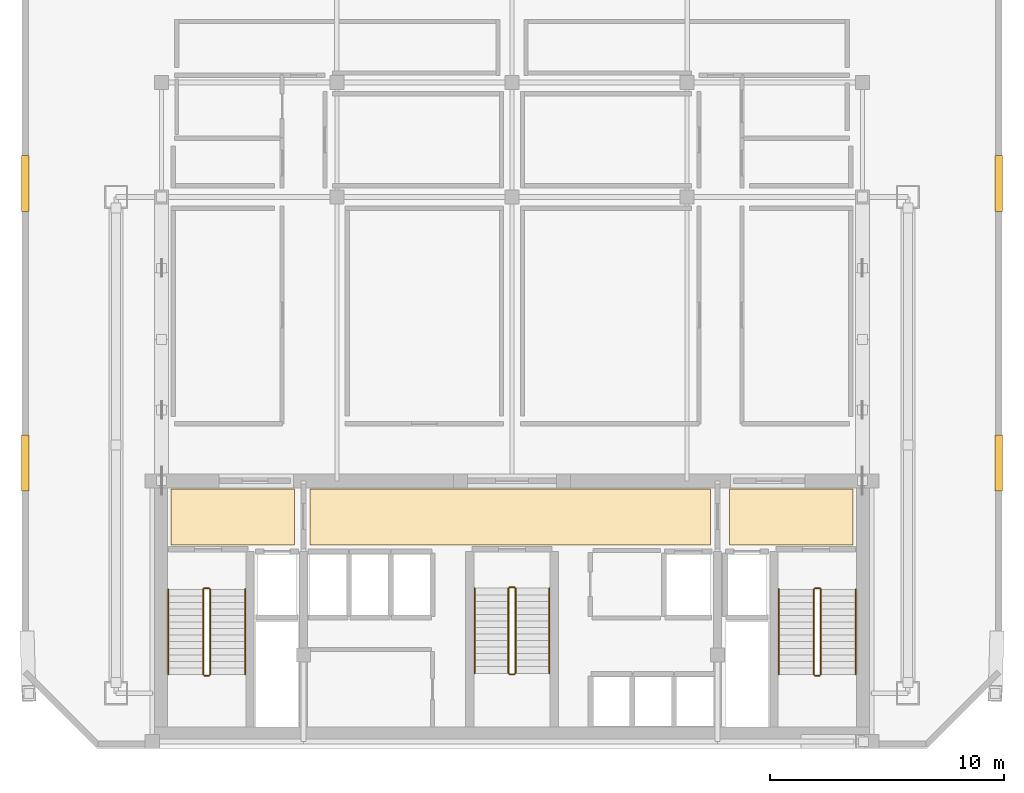
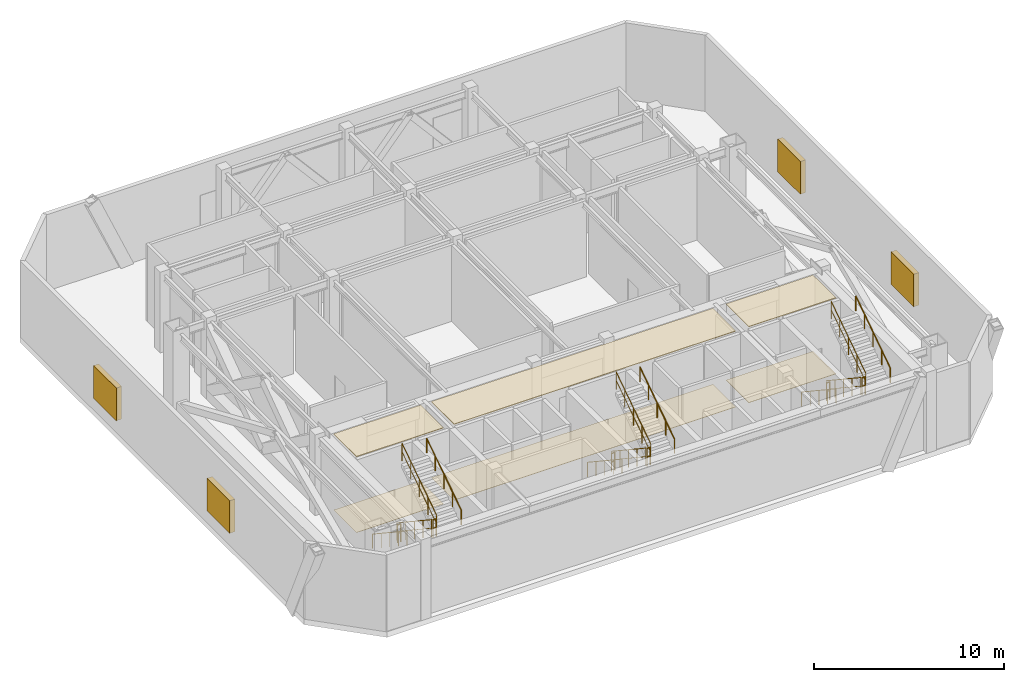
# One storey, part 6 of 7: 18 railings, 6 coverings, 4 shading devices.
"""IFC4 building model written with IfcOpenShell, lengths in metres."""

from ifc_helpers import new_model, si_unit, direction, frame, origin, origin_2d, place, context, subcontext, project, spatial, polyline, rectangle, circle, outline, extrude, material, layer, layer_set, type_object, element, save


model = new_model("IFC4")

# Units and contexts
model_context = context("Model", 3, precision=1e-05, world=origin(), true_north=direction((0.0, 1.0)))
body_context = subcontext(model_context, "Body", "Model", "MODEL_VIEW")
ifc_project = project(units=[si_unit("LENGTHUNIT", "METRE"), si_unit("AREAUNIT", "SQUARE_METRE"), si_unit("VOLUMEUNIT", "CUBIC_METRE"), si_unit("PLANEANGLEUNIT", "RADIAN"), si_unit("MASSUNIT", "GRAM", prefix="KILO")], contexts=[model_context])

# Site, building, storey
site_placement = place(None, origin())
site = spatial("IfcSite", under=ifc_project, at=site_placement, CompositionType="ELEMENT")
building_placement = place(site_placement, origin())
building = spatial("IfcBuilding", under=site, at=building_placement, Name="Ventersveld Concourse Tower", CompositionType="ELEMENT")
storey_placement = place(building_placement, frame((0.0, 0.0, 246.5)))
storey = spatial("IfcBuildingStorey", under=building, at=storey_placement, Name="L61", CompositionType="ELEMENT", Elevation=246.5)

# Coverings
ifc_material_1 = material(Name="Mineral-fibre acoustic ceiling tile", Category="gypsum")
ifc_layer_1 = layer(ifc_material_1, 0.0400390625)
ifc_layer_set_1 = layer_set([ifc_layer_1], Name="Mineral-fibre acoustic ceiling tile")
covering_type_1 = type_object("IfcCoveringType", Name="COV-CEIL-ACOUSTIC", PredefinedType="CEILING", material=ifc_layer_set_1)
covering_1_placement = place(storey_placement, frame((0.0, 0.0, 4.8798828125)))
element("IfcCovering", 1, at=covering_1_placement, inside=storey, type_object=covering_type_1, Name="L61 North Lift Lobby Acoustic Ceiling", PredefinedType="CEILING", context=body_context, shape_type="SweptSolid", body=[
    extrude(outline(polyline([(20.10009765625, 8.699951171875), (37.25, 8.699951171875), (37.25, 11.10009765625), (20.10009765625, 11.10009765625), (20.10009765625, 8.699951171875)])), origin(), (0.0, 0.0, 1.0), 0.0400390625),
])
covering_2_placement = place(storey_placement, frame((0.0, 0.0, 4.8798828125)))
element("IfcCovering", 2, at=covering_2_placement, inside=storey, type_object=covering_type_1, Name="L61 West Firefighting Lobby Acoustic Ceiling", PredefinedType="CEILING", context=body_context, shape_type="SweptSolid", body=[
    extrude(outline(polyline([(14.14990234375, 8.699951171875), (19.449951171875, 8.699951171875), (19.449951171875, 11.10009765625), (14.14990234375, 11.10009765625), (14.14990234375, 8.699951171875)])), origin(), (0.0, 0.0, 1.0), 0.0400390625),
])
covering_3_placement = place(storey_placement, frame((0.0, 0.0, 4.8798828125)))
element("IfcCovering", 3, at=covering_3_placement, inside=storey, type_object=covering_type_1, Name="L61 East Firefighting Lobby Acoustic Ceiling", PredefinedType="CEILING", context=body_context, shape_type="SweptSolid", body=[
    extrude(outline(polyline([(38.050048828125, 8.699951171875), (43.35009765625, 8.699951171875), (43.35009765625, 11.10009765625), (38.050048828125, 11.10009765625), (38.050048828125, 8.699951171875)])), origin(), (0.0, 0.0, 1.0), 0.0400390625),
])
ifc_material_2 = material(Name="Polished Highveld granite terrazzo", Category="masonry")
ifc_layer_2 = layer(ifc_material_2, 0.02001953125)
ifc_layer_set_2 = layer_set([ifc_layer_2], Name="Polished Highveld granite terrazzo")
covering_type_2 = type_object("IfcCoveringType", Name="COV-FLOOR-TERRAZZO", PredefinedType="FLOORING", material=ifc_layer_set_2)
covering_4_placement = place(storey_placement, origin())
element("IfcCovering", 4, at=covering_4_placement, inside=storey, type_object=covering_type_2, Name="L61 North Lift Lobby Terrazzo Flooring", PredefinedType="FLOORING", context=body_context, shape_type="SweptSolid", body=[
    extrude(outline(polyline([(20.10009765625, 8.699951171875), (37.25, 8.699951171875), (37.25, 11.10009765625), (20.10009765625, 11.10009765625), (20.10009765625, 8.699951171875)])), origin(), (0.0, 0.0, 1.0), 0.02001953125),
])
covering_5_placement = place(storey_placement, origin())
element("IfcCovering", 5, at=covering_5_placement, inside=storey, type_object=covering_type_2, Name="L61 West Firefighting Lobby Terrazzo Flooring", PredefinedType="FLOORING", context=body_context, shape_type="SweptSolid", body=[
    extrude(outline(polyline([(14.14990234375, 8.699951171875), (19.449951171875, 8.699951171875), (19.449951171875, 11.10009765625), (14.14990234375, 11.10009765625), (14.14990234375, 8.699951171875)])), origin(), (0.0, 0.0, 1.0), 0.02001953125),
])
covering_6_placement = place(storey_placement, origin())
element("IfcCovering", 6, at=covering_6_placement, inside=storey, type_object=covering_type_2, Name="L61 East Firefighting Lobby Terrazzo Flooring", PredefinedType="FLOORING", context=body_context, shape_type="SweptSolid", body=[
    extrude(outline(polyline([(38.050048828125, 8.699951171875), (43.35009765625, 8.699951171875), (43.35009765625, 11.10009765625), (38.050048828125, 11.10009765625), (38.050048828125, 8.699951171875)])), origin(), (0.0, 0.0, 1.0), 0.02001953125),
])

# Railings
ifc_material_3 = material(Name="Brushed stainless steel 316", Category="steel")
railing_type_1 = type_object("IfcRailingType", Name="GD-BAL-115", PredefinedType="GUARDRAIL", material=ifc_material_3)
railing_1_placement = place(storey_placement, frame((15.530029296875, 6.800048828125, 0.185791015625)))
element("IfcRailing", 7, at=railing_1_placement, inside=storey, type_object=railing_type_1, Name="L61 ST-01 stair guard 1", PredefinedType="GUARDRAIL", context=body_context, shape_type="SweptSolid", body=[
    extrude(circle(Radius=0.02392578125, at=origin_2d()), frame((0.0, 0.0, 1.1259765625), z_axis=(0.0, -0.833363587613, 0.552725185641), x_axis=(1.0, 0.0, 0.0)), (0.0, 0.0, 1.0), 4.367919921875),
    extrude(circle(Radius=0.01611328125, at=origin_2d()), frame((0.0, 0.0, 0.574951171875), z_axis=(0.0, -0.833363587613, 0.552725185641), x_axis=(1.0, 0.0, 0.0)), (0.0, 0.0, 1.0), 4.367919921875),
    extrude(circle(Radius=0.02099609375, at=origin_2d()), origin(), (0.0, 0.0, 1.0), 1.101806640625),
    extrude(circle(Radius=0.02099609375, at=origin_2d()), frame((0.0, -0.91015625, 0.603515625)), (0.0, 0.0, 1.0), 1.101806640625),
    extrude(circle(Radius=0.02099609375, at=origin_2d()), frame((0.0, -1.820068359375, 1.20703125)), (0.0, 0.0, 1.0), 1.101806640625),
    extrude(circle(Radius=0.02099609375, at=origin_2d()), frame((0.0, -2.72998046875, 1.810791015625)), (0.0, 0.0, 1.0), 1.101806640625),
    extrude(circle(Radius=0.02099609375, at=origin_2d()), frame((0.0, -3.64013671875, 2.414306640625)), (0.0, 0.0, 1.0), 1.101806640625),
])
railing_2_placement = place(storey_placement, frame((15.580078125, 3.110107421875, 2.60009765625)))
element("IfcRailing", 8, at=railing_2_placement, inside=storey, type_object=railing_type_1, Name="L61 ST-01 stair guard 2", PredefinedType="GUARDRAIL", context=body_context, shape_type="SweptSolid", body=[
    extrude(circle(Radius=0.02392578125, at=origin_2d()), frame((0.0, 0.0, 1.1259765625), z_axis=(1.0, 0.0, 0.0), x_axis=(0.0, 1.0, 0.0)), (0.0, 0.0, 1.0), 0.199951171875),
    extrude(circle(Radius=0.01611328125, at=origin_2d()), frame((0.0, 0.0, 0.574951171875), z_axis=(1.0, 0.0, 0.0), x_axis=(0.0, 1.0, 0.0)), (0.0, 0.0, 1.0), 0.199951171875),
    extrude(circle(Radius=0.02099609375, at=origin_2d()), origin(), (0.0, 0.0, 1.0), 1.101806640625),
    extrude(circle(Radius=0.02099609375, at=origin_2d()), frame((0.199951171875, 0.0, 0.0)), (0.0, 0.0, 1.0), 1.101806640625),
])
railing_3_placement = place(storey_placement, frame((15.830078125, 3.159912109375, 2.78564453125)))
element("IfcRailing", 9, at=railing_3_placement, inside=storey, type_object=railing_type_1, Name="L61 ST-01 stair guard 3", PredefinedType="GUARDRAIL", context=body_context, shape_type="SweptSolid", body=[
    extrude(circle(Radius=0.02392578125, at=origin_2d()), frame((0.0, 0.0, 1.1259765625), z_axis=(0.0, 0.833363587613, 0.552725185641), x_axis=(-1.0, 0.0, 0.0)), (0.0, 0.0, 1.0), 4.367919921875),
    extrude(circle(Radius=0.01611328125, at=origin_2d()), frame((0.0, 0.0, 0.574951171875), z_axis=(0.0, 0.833363587613, 0.552725185641), x_axis=(-1.0, 0.0, 0.0)), (0.0, 0.0, 1.0), 4.367919921875),
    extrude(circle(Radius=0.02099609375, at=origin_2d()), origin(), (0.0, 0.0, 1.0), 1.101806640625),
    extrude(circle(Radius=0.02099609375, at=origin_2d()), frame((0.0, 0.91015625, 0.603515625)), (0.0, 0.0, 1.0), 1.101806640625),
    extrude(circle(Radius=0.02099609375, at=origin_2d()), frame((0.0, 1.820068359375, 1.20703125)), (0.0, 0.0, 1.0), 1.101806640625),
    extrude(circle(Radius=0.02099609375, at=origin_2d()), frame((0.0, 2.72998046875, 1.810791015625)), (0.0, 0.0, 1.0), 1.101806640625),
    extrude(circle(Radius=0.02099609375, at=origin_2d()), frame((0.0, 3.64013671875, 2.414306640625)), (0.0, 0.0, 1.0), 1.101806640625),
])
railing_4_placement = place(storey_placement, frame((15.580078125, 6.85009765625, 0.0)))
element("IfcRailing", 10, at=railing_4_placement, inside=storey, type_object=railing_type_1, Name="L61 ST-01 stair guard 4", PredefinedType="GUARDRAIL", context=body_context, shape_type="SweptSolid", body=[
    extrude(circle(Radius=0.02392578125, at=origin_2d()), frame((0.0, 0.0, 1.1259765625), z_axis=(1.0, 0.0, 0.0), x_axis=(0.0, 1.0, 0.0)), (0.0, 0.0, 1.0), 0.199951171875),
    extrude(circle(Radius=0.01611328125, at=origin_2d()), frame((0.0, 0.0, 0.574951171875), z_axis=(1.0, 0.0, 0.0), x_axis=(0.0, 1.0, 0.0)), (0.0, 0.0, 1.0), 0.199951171875),
    extrude(circle(Radius=0.02099609375, at=origin_2d()), origin(), (0.0, 0.0, 1.0), 1.101806640625),
    extrude(circle(Radius=0.02099609375, at=origin_2d()), frame((0.199951171875, 0.0, 0.0)), (0.0, 0.0, 1.0), 1.101806640625),
])
railing_5_placement = place(storey_placement, frame((41.669921875, 6.800048828125, 0.185791015625)))
element("IfcRailing", 11, at=railing_5_placement, inside=storey, type_object=railing_type_1, Name="L61 ST-02 stair guard 1", PredefinedType="GUARDRAIL", context=body_context, shape_type="SweptSolid", body=[
    extrude(circle(Radius=0.02392578125, at=origin_2d()), frame((0.0, 0.0, 1.1259765625), z_axis=(0.0, -0.833363587613, 0.552725185641), x_axis=(1.0, 0.0, 0.0)), (0.0, 0.0, 1.0), 4.367919921875),
    extrude(circle(Radius=0.01611328125, at=origin_2d()), frame((0.0, 0.0, 0.574951171875), z_axis=(0.0, -0.833363587613, 0.552725185641), x_axis=(1.0, 0.0, 0.0)), (0.0, 0.0, 1.0), 4.367919921875),
    extrude(circle(Radius=0.02099609375, at=origin_2d()), origin(), (0.0, 0.0, 1.0), 1.101806640625),
    extrude(circle(Radius=0.02099609375, at=origin_2d()), frame((0.0, -0.91015625, 0.603515625)), (0.0, 0.0, 1.0), 1.101806640625),
    extrude(circle(Radius=0.02099609375, at=origin_2d()), frame((0.0, -1.820068359375, 1.20703125)), (0.0, 0.0, 1.0), 1.101806640625),
    extrude(circle(Radius=0.02099609375, at=origin_2d()), frame((0.0, -2.72998046875, 1.810791015625)), (0.0, 0.0, 1.0), 1.101806640625),
    extrude(circle(Radius=0.02099609375, at=origin_2d()), frame((0.0, -3.64013671875, 2.414306640625)), (0.0, 0.0, 1.0), 1.101806640625),
])
railing_6_placement = place(storey_placement, frame((41.719970703125, 3.110107421875, 2.60009765625)))
element("IfcRailing", 12, at=railing_6_placement, inside=storey, type_object=railing_type_1, Name="L61 ST-02 stair guard 2", PredefinedType="GUARDRAIL", context=body_context, shape_type="SweptSolid", body=[
    extrude(circle(Radius=0.02392578125, at=origin_2d()), frame((0.0, 0.0, 1.1259765625), z_axis=(1.0, 0.0, 0.0), x_axis=(0.0, 1.0, 0.0)), (0.0, 0.0, 1.0), 0.199951171875),
    extrude(circle(Radius=0.01611328125, at=origin_2d()), frame((0.0, 0.0, 0.574951171875), z_axis=(1.0, 0.0, 0.0), x_axis=(0.0, 1.0, 0.0)), (0.0, 0.0, 1.0), 0.199951171875),
    extrude(circle(Radius=0.02099609375, at=origin_2d()), origin(), (0.0, 0.0, 1.0), 1.101806640625),
    extrude(circle(Radius=0.02099609375, at=origin_2d()), frame((0.199951171875, 0.0, 0.0)), (0.0, 0.0, 1.0), 1.101806640625),
])
railing_7_placement = place(storey_placement, frame((41.969970703125, 3.159912109375, 2.78564453125)))
element("IfcRailing", 13, at=railing_7_placement, inside=storey, type_object=railing_type_1, Name="L61 ST-02 stair guard 3", PredefinedType="GUARDRAIL", context=body_context, shape_type="SweptSolid", body=[
    extrude(circle(Radius=0.02392578125, at=origin_2d()), frame((0.0, 0.0, 1.1259765625), z_axis=(0.0, 0.833363587613, 0.552725185641), x_axis=(-1.0, 0.0, 0.0)), (0.0, 0.0, 1.0), 4.367919921875),
    extrude(circle(Radius=0.01611328125, at=origin_2d()), frame((0.0, 0.0, 0.574951171875), z_axis=(0.0, 0.833363587613, 0.552725185641), x_axis=(-1.0, 0.0, 0.0)), (0.0, 0.0, 1.0), 4.367919921875),
    extrude(circle(Radius=0.02099609375, at=origin_2d()), origin(), (0.0, 0.0, 1.0), 1.101806640625),
    extrude(circle(Radius=0.02099609375, at=origin_2d()), frame((0.0, 0.91015625, 0.603515625)), (0.0, 0.0, 1.0), 1.101806640625),
    extrude(circle(Radius=0.02099609375, at=origin_2d()), frame((0.0, 1.820068359375, 1.20703125)), (0.0, 0.0, 1.0), 1.101806640625),
    extrude(circle(Radius=0.02099609375, at=origin_2d()), frame((0.0, 2.72998046875, 1.810791015625)), (0.0, 0.0, 1.0), 1.101806640625),
    extrude(circle(Radius=0.02099609375, at=origin_2d()), frame((0.0, 3.64013671875, 2.414306640625)), (0.0, 0.0, 1.0), 1.101806640625),
])
railing_8_placement = place(storey_placement, frame((41.719970703125, 6.85009765625, 0.0)))
element("IfcRailing", 14, at=railing_8_placement, inside=storey, type_object=railing_type_1, Name="L61 ST-02 stair guard 4", PredefinedType="GUARDRAIL", context=body_context, shape_type="SweptSolid", body=[
    extrude(circle(Radius=0.02392578125, at=origin_2d()), frame((0.0, 0.0, 1.1259765625), z_axis=(1.0, 0.0, 0.0), x_axis=(0.0, 1.0, 0.0)), (0.0, 0.0, 1.0), 0.199951171875),
    extrude(circle(Radius=0.01611328125, at=origin_2d()), frame((0.0, 0.0, 0.574951171875), z_axis=(1.0, 0.0, 0.0), x_axis=(0.0, 1.0, 0.0)), (0.0, 0.0, 1.0), 0.199951171875),
    extrude(circle(Radius=0.02099609375, at=origin_2d()), origin(), (0.0, 0.0, 1.0), 1.101806640625),
    extrude(circle(Radius=0.02099609375, at=origin_2d()), frame((0.199951171875, 0.0, 0.0)), (0.0, 0.0, 1.0), 1.101806640625),
])
railing_9_placement = place(storey_placement, frame((28.60009765625, 6.85009765625, 0.185791015625)))
element("IfcRailing", 15, at=railing_9_placement, inside=storey, type_object=railing_type_1, Name="L61 ST-03 stair guard 1", PredefinedType="GUARDRAIL", context=body_context, shape_type="SweptSolid", body=[
    extrude(circle(Radius=0.02392578125, at=origin_2d()), frame((0.0, 0.0, 1.1259765625), z_axis=(0.0, -0.833363587613, 0.552725185641), x_axis=(1.0, 0.0, 0.0)), (0.0, 0.0, 1.0), 4.367919921875),
    extrude(circle(Radius=0.01611328125, at=origin_2d()), frame((0.0, 0.0, 0.574951171875), z_axis=(0.0, -0.833363587613, 0.552725185641), x_axis=(1.0, 0.0, 0.0)), (0.0, 0.0, 1.0), 4.367919921875),
    extrude(circle(Radius=0.02099609375, at=origin_2d()), origin(), (0.0, 0.0, 1.0), 1.101806640625),
    extrude(circle(Radius=0.02099609375, at=origin_2d()), frame((0.0, -0.91015625, 0.603515625)), (0.0, 0.0, 1.0), 1.101806640625),
    extrude(circle(Radius=0.02099609375, at=origin_2d()), frame((0.0, -1.820068359375, 1.20703125)), (0.0, 0.0, 1.0), 1.101806640625),
    extrude(circle(Radius=0.02099609375, at=origin_2d()), frame((0.0, -2.72998046875, 1.810791015625)), (0.0, 0.0, 1.0), 1.101806640625),
    extrude(circle(Radius=0.02099609375, at=origin_2d()), frame((0.0, -3.64013671875, 2.414306640625)), (0.0, 0.0, 1.0), 1.101806640625),
])
railing_10_placement = place(storey_placement, frame((28.64990234375, 3.159912109375, 2.60009765625)))
element("IfcRailing", 16, at=railing_10_placement, inside=storey, type_object=railing_type_1, Name="L61 ST-03 stair guard 2", PredefinedType="GUARDRAIL", context=body_context, shape_type="SweptSolid", body=[
    extrude(circle(Radius=0.02392578125, at=origin_2d()), frame((0.0, 0.0, 1.1259765625), z_axis=(1.0, 0.0, 0.0), x_axis=(0.0, 1.0, 0.0)), (0.0, 0.0, 1.0), 0.2001953125),
    extrude(circle(Radius=0.01611328125, at=origin_2d()), frame((0.0, 0.0, 0.574951171875), z_axis=(1.0, 0.0, 0.0), x_axis=(0.0, 1.0, 0.0)), (0.0, 0.0, 1.0), 0.2001953125),
    extrude(circle(Radius=0.02099609375, at=origin_2d()), origin(), (0.0, 0.0, 1.0), 1.101806640625),
    extrude(circle(Radius=0.02099609375, at=origin_2d()), frame((0.2001953125, 0.0, 0.0)), (0.0, 0.0, 1.0), 1.101806640625),
])
railing_11_placement = place(storey_placement, frame((28.89990234375, 3.2099609375, 2.78564453125)))
element("IfcRailing", 17, at=railing_11_placement, inside=storey, type_object=railing_type_1, Name="L61 ST-03 stair guard 3", PredefinedType="GUARDRAIL", context=body_context, shape_type="SweptSolid", body=[
    extrude(circle(Radius=0.02392578125, at=origin_2d()), frame((0.0, 0.0, 1.1259765625), z_axis=(0.0, 0.833363587613, 0.552725185641), x_axis=(-1.0, 0.0, 0.0)), (0.0, 0.0, 1.0), 4.367919921875),
    extrude(circle(Radius=0.01611328125, at=origin_2d()), frame((0.0, 0.0, 0.574951171875), z_axis=(0.0, 0.833363587613, 0.552725185641), x_axis=(-1.0, 0.0, 0.0)), (0.0, 0.0, 1.0), 4.367919921875),
    extrude(circle(Radius=0.02099609375, at=origin_2d()), origin(), (0.0, 0.0, 1.0), 1.101806640625),
    extrude(circle(Radius=0.02099609375, at=origin_2d()), frame((0.0, 0.91015625, 0.603515625)), (0.0, 0.0, 1.0), 1.101806640625),
    extrude(circle(Radius=0.02099609375, at=origin_2d()), frame((0.0, 1.820068359375, 1.20703125)), (0.0, 0.0, 1.0), 1.101806640625),
    extrude(circle(Radius=0.02099609375, at=origin_2d()), frame((0.0, 2.72998046875, 1.810791015625)), (0.0, 0.0, 1.0), 1.101806640625),
    extrude(circle(Radius=0.02099609375, at=origin_2d()), frame((0.0, 3.64013671875, 2.414306640625)), (0.0, 0.0, 1.0), 1.101806640625),
])
railing_12_placement = place(storey_placement, frame((28.64990234375, 6.89990234375, 0.0)))
element("IfcRailing", 18, at=railing_12_placement, inside=storey, type_object=railing_type_1, Name="L61 ST-03 stair guard 4", PredefinedType="GUARDRAIL", context=body_context, shape_type="SweptSolid", body=[
    extrude(circle(Radius=0.02392578125, at=origin_2d()), frame((0.0, 0.0, 1.1259765625), z_axis=(1.0, 0.0, 0.0), x_axis=(0.0, 1.0, 0.0)), (0.0, 0.0, 1.0), 0.2001953125),
    extrude(circle(Radius=0.01611328125, at=origin_2d()), frame((0.0, 0.0, 0.574951171875), z_axis=(1.0, 0.0, 0.0), x_axis=(0.0, 1.0, 0.0)), (0.0, 0.0, 1.0), 0.2001953125),
    extrude(circle(Radius=0.02099609375, at=origin_2d()), origin(), (0.0, 0.0, 1.0), 1.101806640625),
    extrude(circle(Radius=0.02099609375, at=origin_2d()), frame((0.2001953125, 0.0, 0.0)), (0.0, 0.0, 1.0), 1.101806640625),
])
railing_type_2 = type_object("IfcRailingType", Name="HR-RMP-095", PredefinedType="HANDRAIL", material=ifc_material_3)
railing_13_placement = place(storey_placement, frame((14.030029296875, 6.800048828125, 0.185791015625)))
element("IfcRailing", 19, at=railing_13_placement, inside=storey, type_object=railing_type_2, Name="L61 ST-01 stair handrail 1", PredefinedType="HANDRAIL", context=body_context, shape_type="SweptSolid", body=[
    extrude(circle(Radius=0.02392578125, at=origin_2d()), frame((0.0, 0.0, 0.92578125), z_axis=(0.0, -0.833363587613, 0.552725185641), x_axis=(1.0, 0.0, 0.0)), (0.0, 0.0, 1.0), 4.367919921875),
    extrude(circle(Radius=0.02099609375, at=origin_2d()), origin(), (0.0, 0.0, 1.0), 0.90185546875),
    extrude(circle(Radius=0.02099609375, at=origin_2d()), frame((0.0, -0.91015625, 0.603515625)), (0.0, 0.0, 1.0), 0.90185546875),
    extrude(circle(Radius=0.02099609375, at=origin_2d()), frame((0.0, -1.820068359375, 1.20703125)), (0.0, 0.0, 1.0), 0.90185546875),
    extrude(circle(Radius=0.02099609375, at=origin_2d()), frame((0.0, -2.72998046875, 1.810791015625)), (0.0, 0.0, 1.0), 0.90185546875),
    extrude(circle(Radius=0.02099609375, at=origin_2d()), frame((0.0, -3.64013671875, 2.414306640625)), (0.0, 0.0, 1.0), 0.90185546875),
])
railing_14_placement = place(storey_placement, frame((17.330078125, 3.159912109375, 2.78564453125)))
element("IfcRailing", 20, at=railing_14_placement, inside=storey, type_object=railing_type_2, Name="L61 ST-01 stair handrail 2", PredefinedType="HANDRAIL", context=body_context, shape_type="SweptSolid", body=[
    extrude(circle(Radius=0.02392578125, at=origin_2d()), frame((0.0, 0.0, 0.92578125), z_axis=(0.0, 0.833363587613, 0.552725185641), x_axis=(-1.0, 0.0, 0.0)), (0.0, 0.0, 1.0), 4.367919921875),
    extrude(circle(Radius=0.02099609375, at=origin_2d()), origin(), (0.0, 0.0, 1.0), 0.90185546875),
    extrude(circle(Radius=0.02099609375, at=origin_2d()), frame((0.0, 0.91015625, 0.603515625)), (0.0, 0.0, 1.0), 0.90185546875),
    extrude(circle(Radius=0.02099609375, at=origin_2d()), frame((0.0, 1.820068359375, 1.20703125)), (0.0, 0.0, 1.0), 0.90185546875),
    extrude(circle(Radius=0.02099609375, at=origin_2d()), frame((0.0, 2.72998046875, 1.810791015625)), (0.0, 0.0, 1.0), 0.90185546875),
    extrude(circle(Radius=0.02099609375, at=origin_2d()), frame((0.0, 3.64013671875, 2.414306640625)), (0.0, 0.0, 1.0), 0.90185546875),
])
railing_15_placement = place(storey_placement, frame((40.169921875, 6.800048828125, 0.185791015625)))
element("IfcRailing", 21, at=railing_15_placement, inside=storey, type_object=railing_type_2, Name="L61 ST-02 stair handrail 1", PredefinedType="HANDRAIL", context=body_context, shape_type="SweptSolid", body=[
    extrude(circle(Radius=0.02392578125, at=origin_2d()), frame((0.0, 0.0, 0.92578125), z_axis=(0.0, -0.833363587613, 0.552725185641), x_axis=(1.0, 0.0, 0.0)), (0.0, 0.0, 1.0), 4.367919921875),
    extrude(circle(Radius=0.02099609375, at=origin_2d()), origin(), (0.0, 0.0, 1.0), 0.90185546875),
    extrude(circle(Radius=0.02099609375, at=origin_2d()), frame((0.0, -0.91015625, 0.603515625)), (0.0, 0.0, 1.0), 0.90185546875),
    extrude(circle(Radius=0.02099609375, at=origin_2d()), frame((0.0, -1.820068359375, 1.20703125)), (0.0, 0.0, 1.0), 0.90185546875),
    extrude(circle(Radius=0.02099609375, at=origin_2d()), frame((0.0, -2.72998046875, 1.810791015625)), (0.0, 0.0, 1.0), 0.90185546875),
    extrude(circle(Radius=0.02099609375, at=origin_2d()), frame((0.0, -3.64013671875, 2.414306640625)), (0.0, 0.0, 1.0), 0.90185546875),
])
railing_16_placement = place(storey_placement, frame((43.469970703125, 3.159912109375, 2.78564453125)))
element("IfcRailing", 22, at=railing_16_placement, inside=storey, type_object=railing_type_2, Name="L61 ST-02 stair handrail 2", PredefinedType="HANDRAIL", context=body_context, shape_type="SweptSolid", body=[
    extrude(circle(Radius=0.02392578125, at=origin_2d()), frame((0.0, 0.0, 0.92578125), z_axis=(0.0, 0.833363587613, 0.552725185641), x_axis=(-1.0, 0.0, 0.0)), (0.0, 0.0, 1.0), 4.367919921875),
    extrude(circle(Radius=0.02099609375, at=origin_2d()), origin(), (0.0, 0.0, 1.0), 0.90185546875),
    extrude(circle(Radius=0.02099609375, at=origin_2d()), frame((0.0, 0.91015625, 0.603515625)), (0.0, 0.0, 1.0), 0.90185546875),
    extrude(circle(Radius=0.02099609375, at=origin_2d()), frame((0.0, 1.820068359375, 1.20703125)), (0.0, 0.0, 1.0), 0.90185546875),
    extrude(circle(Radius=0.02099609375, at=origin_2d()), frame((0.0, 2.72998046875, 1.810791015625)), (0.0, 0.0, 1.0), 0.90185546875),
    extrude(circle(Radius=0.02099609375, at=origin_2d()), frame((0.0, 3.64013671875, 2.414306640625)), (0.0, 0.0, 1.0), 0.90185546875),
])
railing_17_placement = place(storey_placement, frame((27.14990234375, 6.85009765625, 0.185791015625)))
element("IfcRailing", 23, at=railing_17_placement, inside=storey, type_object=railing_type_2, Name="L61 ST-03 stair handrail 1", PredefinedType="HANDRAIL", context=body_context, shape_type="SweptSolid", body=[
    extrude(circle(Radius=0.02392578125, at=origin_2d()), frame((0.0, 0.0, 0.92578125), z_axis=(0.0, -0.833363587613, 0.552725185641), x_axis=(1.0, 0.0, 0.0)), (0.0, 0.0, 1.0), 4.367919921875),
    extrude(circle(Radius=0.02099609375, at=origin_2d()), origin(), (0.0, 0.0, 1.0), 0.90185546875),
    extrude(circle(Radius=0.02099609375, at=origin_2d()), frame((0.0, -0.91015625, 0.603515625)), (0.0, 0.0, 1.0), 0.90185546875),
    extrude(circle(Radius=0.02099609375, at=origin_2d()), frame((0.0, -1.820068359375, 1.20703125)), (0.0, 0.0, 1.0), 0.90185546875),
    extrude(circle(Radius=0.02099609375, at=origin_2d()), frame((0.0, -2.72998046875, 1.810791015625)), (0.0, 0.0, 1.0), 0.90185546875),
    extrude(circle(Radius=0.02099609375, at=origin_2d()), frame((0.0, -3.64013671875, 2.414306640625)), (0.0, 0.0, 1.0), 0.90185546875),
])
railing_18_placement = place(storey_placement, frame((30.35009765625, 3.2099609375, 2.78564453125)))
element("IfcRailing", 24, at=railing_18_placement, inside=storey, type_object=railing_type_2, Name="L61 ST-03 stair handrail 2", PredefinedType="HANDRAIL", context=body_context, shape_type="SweptSolid", body=[
    extrude(circle(Radius=0.02392578125, at=origin_2d()), frame((0.0, 0.0, 0.92578125), z_axis=(0.0, 0.833363587613, 0.552725185641), x_axis=(-1.0, 0.0, 0.0)), (0.0, 0.0, 1.0), 4.367919921875),
    extrude(circle(Radius=0.02099609375, at=origin_2d()), origin(), (0.0, 0.0, 1.0), 0.90185546875),
    extrude(circle(Radius=0.02099609375, at=origin_2d()), frame((0.0, 0.91015625, 0.603515625)), (0.0, 0.0, 1.0), 0.90185546875),
    extrude(circle(Radius=0.02099609375, at=origin_2d()), frame((0.0, 1.820068359375, 1.20703125)), (0.0, 0.0, 1.0), 0.90185546875),
    extrude(circle(Radius=0.02099609375, at=origin_2d()), frame((0.0, 2.72998046875, 1.810791015625)), (0.0, 0.0, 1.0), 0.90185546875),
    extrude(circle(Radius=0.02099609375, at=origin_2d()), frame((0.0, 3.64013671875, 2.414306640625)), (0.0, 0.0, 1.0), 0.90185546875),
])

# Shading devices
ifc_material_4 = material(Name="Anodised aluminium EN AW-6063-T6", Category="aluminium")
shading_device_type = type_object("IfcShadingDeviceType", Name="SHD-LOUVRE-300", PredefinedType="JALOUSIE", material=ifc_material_4)
for number, where, z_axis, x_axis, name in (
    (25, (49.585693359375, 12.209228515625, 0.800048828125), (0.0, 0.0, 1.0), (0.0, 1.0, 0.0), "L61 Mechanical Plant Louvre E1"),
    (26, (49.585693359375, 24.168212890625, 0.800048828125), (0.0, 0.0, 1.0), (0.0, 1.0, 0.0), "L61 Mechanical Plant Louvre E2"),
    (27, (7.914306640625, 24.168212890625, 0.800048828125), (0.0, 0.0, 1.0), (0.0, -1.0, 0.0), "L61 Mechanical Plant Louvre W1"),
    (28, (7.914306640625, 12.209228515625, 0.800048828125), (0.0, 0.0, 1.0), (0.0, -1.0, 0.0), "L61 Mechanical Plant Louvre W2"),
):
    element("IfcShadingDevice", number, at=place(storey_placement, frame(where, z_axis=z_axis, x_axis=x_axis)), inside=storey, type_object=shading_device_type, Name=name, PredefinedType="JALOUSIE", context=body_context, shape_type="SweptSolid", body=[
        extrude(rectangle(XDim=2.39990234375, YDim=0.320068359375, at=origin_2d()), origin(), (0.0, 0.0, 1.0), 2.10009765625),
    ])

save(model, "model.ifc")
